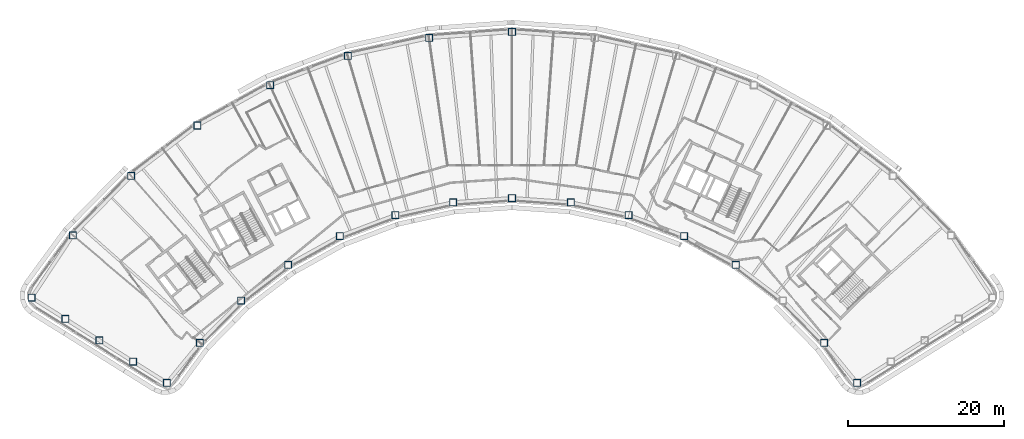
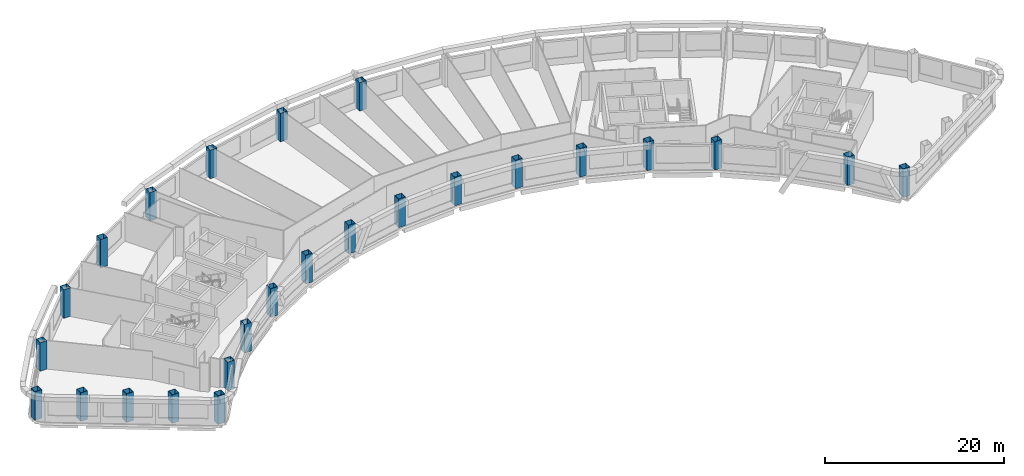
# One storey, part 1 of 14: 25 columns.
"""IFC4 building model written with IfcOpenShell, lengths in metres."""

from ifc_helpers import new_model, si_unit, direction, frame, origin, origin_2d, place, context, subcontext, project, spatial, hollow_rectangle, extrude, material, material_profile, profile_set, type_object, element, save


model = new_model("IFC4")

# Units and contexts
model_context = context("Model", 3, precision=1e-05, world=origin(), true_north=direction((0.0, 1.0)))
body_context = subcontext(model_context, "Body", "Model", "MODEL_VIEW")
ifc_project = project(units=[si_unit("LENGTHUNIT", "METRE"), si_unit("AREAUNIT", "SQUARE_METRE"), si_unit("VOLUMEUNIT", "CUBIC_METRE"), si_unit("PLANEANGLEUNIT", "RADIAN"), si_unit("MASSUNIT", "GRAM", prefix="KILO")], contexts=[model_context])

# Site, building, storey
site_placement = place(None, origin())
site = spatial("IfcSite", under=ifc_project, at=site_placement, CompositionType="ELEMENT")
building_placement = place(site_placement, origin())
building = spatial("IfcBuilding", under=site, at=building_placement, Name="Tuul Gate Civic Tower", CompositionType="ELEMENT")
storey_placement = place(building_placement, frame((0.0, 0.0, 213.699951171875)))
storey = spatial("IfcBuildingStorey", under=building, at=storey_placement, Name="Level 48", CompositionType="ELEMENT", Elevation=213.699951171875)

# Columns
ifc_material = material(Name="Steel S355", Category="steel")
ifc_material_profile = material_profile(ifc_material, hollow_rectangle(XDim=0.89990234375, YDim=0.89990234375, WallThickness=0.031982421875, at=origin_2d()), Name="BOX900x900x32")
ifc_profile_set = profile_set([ifc_material_profile], Name="Steel S355")
column_type = type_object("IfcColumnType", Name="STR-COLUMN-BOX900x900x32", PredefinedType="COLUMN", material=ifc_profile_set)
for number, where, z_axis, x_axis, name in (
    (1, (5.93994140625, 18.56494140625, 0.0), (0.0, 0.0, 1.0), (1.0, 0.0, 0.0), "Column"),
    (2, (-4.7099609375, 17.7939453125, 0.0), (0.0, 0.0, 1.0), (1.0, 0.0, 0.0), "Column"),
    (3, (-15.136962890625, 15.49609375, 0.0), (0.0, 0.0, 1.0), (1.0, 0.0, 0.0), "Column"),
    (4, (-25.1240234375, 11.718994140625, 0.0), (0.0, 0.0, 1.0), (1.0, 0.0, 0.0), "Column"),
    (5, (-34.462890625, 6.54296875, 0.0), (0.0, 0.0, 1.0), (1.0, 0.0, 0.0), "Column"),
    (6, (-42.9580078125, 0.074951171875, 0.0), (0.0, 0.0, 1.0), (1.0, 0.0, 0.0), "Column"),
    (7, (-50.431884765625, -7.550048828125, 0.0), (0.0, 0.0, 1.0), (1.0, 0.0, 0.0), "Column"),
    (8, (-55.73095703125, -15.56298828125, 0.0), (0.0, 0.0, 1.0), (1.0, 0.0, 0.0), "Column"),
    (9, (-51.388916015625, -18.297119140625, 0.0), (0.0, 0.0, 1.0), (1.0, 0.0, 0.0), "Column"),
    (10, (-47.0458984375, -21.031982421875, 0.0), (0.0, 0.0, 1.0), (1.0, 0.0, 0.0), "Column"),
    (11, (-42.7041015625, -23.76708984375, 0.0), (0.0, 0.0, 1.0), (1.0, 0.0, 0.0), "Column"),
    (12, (-38.361083984375, -26.5009765625, 0.0), (0.0, 0.0, 1.0), (1.0, 0.0, 0.0), "Column"),
    (13, (-34.14111328125, -21.35888671875, 0.0), (0.0, 0.0, 1.0), (1.0, 0.0, 0.0), "Column"),
    (14, (-28.826904296875, -15.93798828125, 0.0), (0.0, 0.0, 1.0), (1.0, 0.0, 0.0), "Column"),
    (15, (-22.787109375, -11.339111328125, 0.0), (0.0, 0.0, 1.0), (1.0, 0.0, 0.0), "Column"),
    (16, (-16.14697265625, -7.657958984375, 0.0), (0.0, 0.0, 1.0), (1.0, 0.0, 0.0), "Column"),
    (17, (-9.0458984375, -4.972900390625, 0.0), (0.0, 0.0, 1.0), (1.0, 0.0, 0.0), "Column"),
    (18, (-1.632080078125, -3.339111328125, 0.0), (0.0, 0.0, 1.0), (1.0, 0.0, 0.0), "Column"),
    (19, (5.93994140625, -2.7900390625, 0.0), (0.0, 0.0, 1.0), (1.0, 0.0, 0.0), "Column"),
    (20, (13.511962890625, -3.339111328125, 0.0), (0.0, 0.0, 1.0), (1.0, 0.0, 0.0), "Column"),
    (21, (20.925048828125, -4.972900390625, 0.0), (0.0, 0.0, 1.0), (1.0, 0.0, 0.0), "Column"),
    (22, (28.02587890625, -7.657958984375, 0.0), (0.0, 0.0, 1.0), (1.0, 0.0, 0.0), "Column"),
    (23, (34.666015625, -11.339111328125, 0.0), (0.0, 0.0, 1.0), (1.0, 0.0, 0.0), "Column"),
    (24, (46.02099609375, -21.35888671875, 0.0), (0.0, 0.0, 1.0), (1.0, 0.0, 0.0), "Column"),
    (25, (50.240966796875, -26.5009765625, 0.0), (0.0, 0.0, 1.0), (1.0, 0.0, 0.0), "Column"),
):
    element("IfcColumn", number, at=place(storey_placement, frame(where, z_axis=z_axis, x_axis=x_axis)), inside=storey, type_object=column_type, Name=name, PredefinedType="COLUMN", context=body_context, shape_type="SweptSolid", body=[
        extrude(hollow_rectangle(XDim=0.89990234375, YDim=0.89990234375, WallThickness=0.031982421875, at=origin_2d()), origin(), (0.0, 0.0, 1.0), 3.900146484375),
    ])

save(model, "model.ifc")
